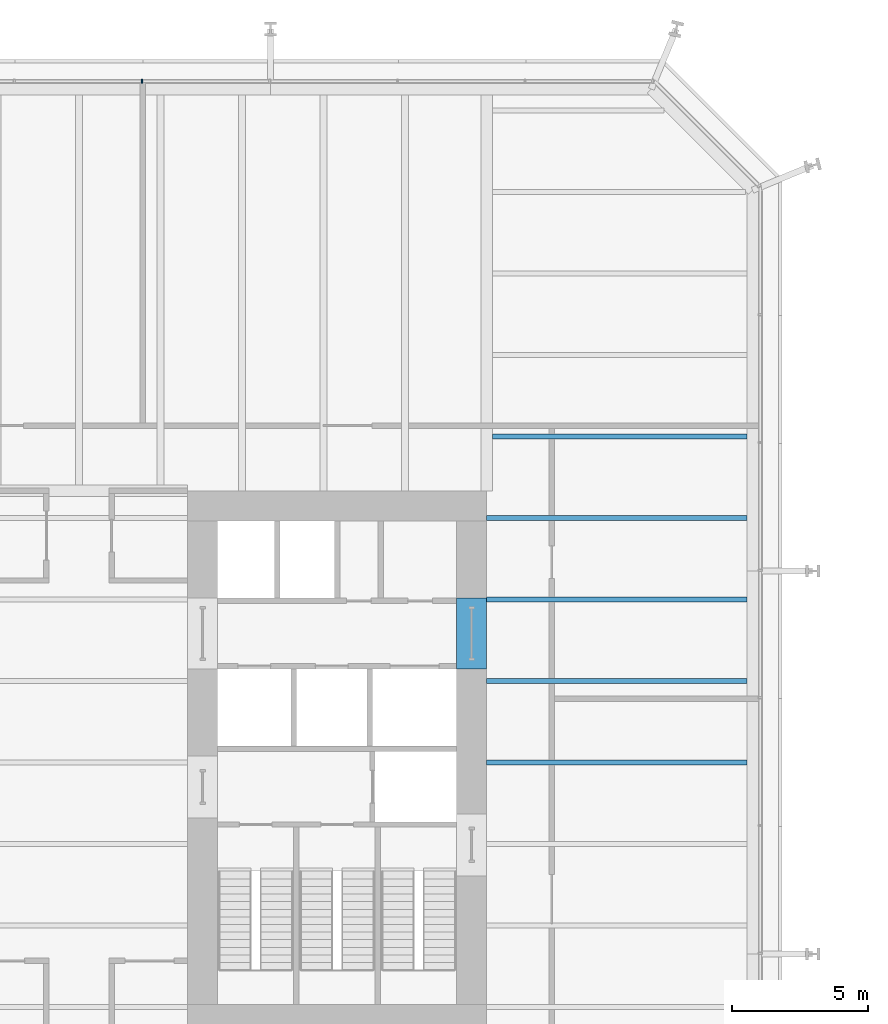
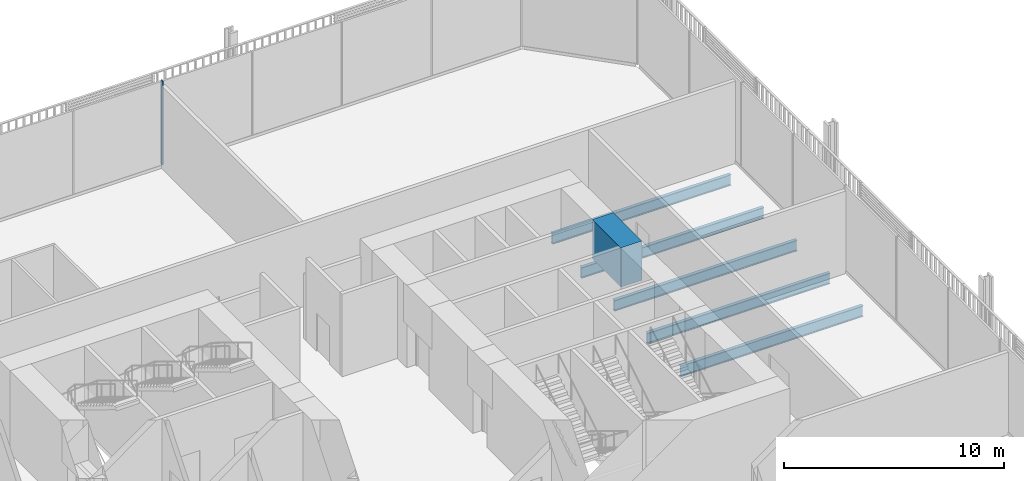
# One storey, part 11 of 21: 6 beams, 1 member, 1 element without a shape of its own.
"""IFC4 building model written with IfcOpenShell, lengths in metres."""

import ifcopenshell
import ifcopenshell.guid

model = None  # the IFC model being written
_history = None  # IfcOwnerHistory: only IFC2X3 demands one
_inside = {}  # id of a spatial element -> (the spatial element, [elements in it])
_under = {}  # id of a project, library or spatial element -> (it, [spatial elements below it])
_declared = {}  # id of a project -> (the project, [libraries it declares])
_typed = {}  # id of a type object -> (the type object, [elements of that type])
_made_of = {}  # id of a material, layer set ... -> (it, [elements and type objects made of it])


def new_model(schema):
    """Start an empty IFC model of exactly this schema.

    Asked for "IFC4X3", IfcOpenShell would pick the latest addendum, in which some entities
    have other attributes; the version numbers below select the first issue.
    IFC2X3 requires an IfcOwnerHistory on every rooted entity: one is made here for all.
    """
    global model, _history
    if schema == "IFC4X3":
        model = ifcopenshell.file(schema_version=(4, 3, 0, 0))
    else:
        model = ifcopenshell.file(schema=schema)
    _inside.clear()
    _under.clear()
    _declared.clear()
    _typed.clear()
    _made_of.clear()
    _history = None
    if model.schema == "IFC2X3":
        org = make("IfcOrganization", Name="unknown")
        user = make(
            "IfcPersonAndOrganization",
            ThePerson=make("IfcPerson", FamilyName="unknown"),
            TheOrganization=org,
        )
        app = make(
            "IfcApplication",
            ApplicationDeveloper=org,
            Version="unknown",
            ApplicationFullName="unknown",
            ApplicationIdentifier="unknown",
        )
        _history = make(
            "IfcOwnerHistory",
            OwningUser=user,
            OwningApplication=app,
            ChangeAction="ADDED",
            CreationDate=0,
        )
    return model


def make(cls, **values):
    """One entity of the class cls with the attributes given. An attribute that is None is left unset."""
    return model.create_entity(
        cls, **{name: value for name, value in values.items() if value is not None}
    )


def rooted(cls, **values):
    """An entity with a GlobalId (a new one), such as an element, a storey or a relation."""
    return make(cls, GlobalId=ifcopenshell.guid.new(), OwnerHistory=_history, **values)


def si_unit(unit_type, name, prefix=None):
    """IfcSIUnit, for example si_unit("LENGTHUNIT", "METRE", prefix="MILLI")."""
    return make("IfcSIUnit", UnitType=unit_type, Prefix=prefix, Name=name)


def assignment(units):
    """IfcUnitAssignment: the units of a project."""
    return None if units is None else make("IfcUnitAssignment", Units=units)


def point(xyz):
    """IfcCartesianPoint."""
    return None if xyz is None else make("IfcCartesianPoint", Coordinates=xyz)


def direction(xyz):
    """IfcDirection."""
    return None if xyz is None else make("IfcDirection", DirectionRatios=xyz)


def frame(location, z_axis=None, x_axis=None):
    """IfcAxis2Placement3D, a coordinate frame: its origin and axes. An axis left out is left unset."""
    return make(
        "IfcAxis2Placement3D",
        Location=point(location),
        Axis=direction(z_axis),
        RefDirection=direction(x_axis),
    )


def frame_2d(location, x_axis=None):
    """IfcAxis2Placement2D, a coordinate frame in the plane: its origin and x axis."""
    return make(
        "IfcAxis2Placement2D", Location=point(location), RefDirection=direction(x_axis)
    )


def origin():
    """The frame at (0, 0, 0) with its axes left unset."""
    return frame((0.0, 0.0, 0.0))


def origin_2d():
    """The frame at (0, 0) in the plane with its x axis left unset."""
    return frame_2d((0.0, 0.0))


def place(relative_to, where):
    """IfcLocalPlacement: puts the frame where relative to a parent placement (None: the world)."""
    return make(
        "IfcLocalPlacement", PlacementRelTo=relative_to, RelativePlacement=where
    )


def context(
    kind, dimensions, precision=None, world=None, true_north=None, identifier=None
):
    """IfcGeometricRepresentationContext, for example the 3D "Model" context."""
    return make(
        "IfcGeometricRepresentationContext",
        ContextIdentifier=identifier,
        ContextType=kind,
        CoordinateSpaceDimension=dimensions,
        Precision=precision,
        WorldCoordinateSystem=world,
        TrueNorth=true_north,
    )


def subcontext(parent, identifier, kind, view, scale=None):
    """IfcGeometricRepresentationSubContext, for example "Body" below "Model"."""
    return make(
        "IfcGeometricRepresentationSubContext",
        ContextIdentifier=identifier,
        ContextType=kind,
        ParentContext=parent,
        TargetScale=scale,
        TargetView=view,
    )


def project(units=None, contexts=None):
    """IfcProject with its units and contexts."""
    return rooted(
        "IfcProject",
        Name="project",
        RepresentationContexts=contexts,
        UnitsInContext=assignment(units),
    )


def spatial(cls, under=None, at=None, **own):
    """A site, building, storey or space (cls), placed at a placement, below another one or the project."""
    s = rooted(cls, ObjectPlacement=at, **own)
    if under is not None:
        _under.setdefault(under.id(), (under, []))[1].append(s)
    return s


def profile(cls, at=None, kind="AREA", **sizes):
    """A parametric profile (cls). Its sizes go by their IFC names, for example OverallWidth=200.0."""
    return make(cls, ProfileType=kind, Position=at, **sizes)


def rectangle(**sizes):
    """IfcRectangleProfileDef."""
    return profile("IfcRectangleProfileDef", **sizes)


def i_section(**sizes):
    """IfcIShapeProfileDef."""
    return profile("IfcIShapeProfileDef", **sizes)


def extrude(swept, where, along, depth):
    """IfcExtrudedAreaSolid: the profile swept, set in the frame where, extruded along a direction by depth."""
    return make(
        "IfcExtrudedAreaSolid",
        SweptArea=swept,
        Position=where,
        ExtrudedDirection=direction(along),
        Depth=depth,
    )


def shape(context_of_items, identifier, shape_type, items):
    """IfcShapeRepresentation: the items that make up one representation, for example the "Body"."""
    return make(
        "IfcShapeRepresentation",
        ContextOfItems=context_of_items,
        RepresentationIdentifier=identifier,
        RepresentationType=shape_type,
        Items=items,
    )


def material(Name=None, Category=None):
    """IfcMaterial."""
    return make("IfcMaterial", Name=Name, Category=Category)


def layer(
    of_material, thickness, ventilated=None, Name=None, Category=None, Priority=None
):
    """IfcMaterialLayer: one layer of a wall or slab, of a material (None: an air gap)."""
    return make(
        "IfcMaterialLayer",
        Material=of_material,
        LayerThickness=thickness,
        IsVentilated=ventilated,
        Name=Name,
        Category=Category,
        Priority=Priority,
    )


def layer_set(layers, Name=None):
    """IfcMaterialLayerSet."""
    return make("IfcMaterialLayerSet", MaterialLayers=layers, LayerSetName=Name)


def material_profile(
    of_material, cross_section, Name=None, Category=None, Priority=None
):
    """IfcMaterialProfile: a cross section and its material."""
    return make(
        "IfcMaterialProfile",
        Name=Name,
        Material=of_material,
        Profile=cross_section,
        Priority=Priority,
        Category=Category,
    )


def profile_set(profiles, Name=None, composite=None):
    """IfcMaterialProfileSet."""
    return make(
        "IfcMaterialProfileSet",
        Name=Name,
        MaterialProfiles=profiles,
        CompositeProfile=composite,
    )


def made_of(thing, what):
    """Note that an element or type object is made of a material, layer set ...; save() writes the relation."""
    if what is not None:
        _made_of.setdefault(what.id(), (what, []))[1].append(thing)
    return thing


def type_object(cls, material=None, **own):
    """A type object (cls), such as IfcWallType, which elements share."""
    return made_of(rooted(cls, **own), material)


def element(
    cls,
    number,
    at=None,
    inside=None,
    cuts=None,
    type_object=None,
    material=None,
    context=None,
    identifier="Body",
    shape_type=None,
    held_by="IfcProductDefinitionShape",
    body=None,
    shapes=None,
    **own,
):
    """One element of the class cls, such as IfcWall. Its Tag is "e" and its number.

    at: its placement. inside: the storey or other place that contains it. cuts: it is an
    opening in that element (IfcRelVoidsElement). A single representation is given by context,
    identifier, shape_type and body (its items); several are given by shapes. held_by: the class
    of the entity that holds the representations. save() writes the other relations.
    """
    e = rooted(cls, Tag="e%d" % number, ObjectPlacement=at, **own)
    if body is not None:
        shapes = [shape(context, identifier, shape_type, body)]
    if shapes is not None:
        e.Representation = make(held_by, Representations=shapes)
    if inside is not None:
        _inside.setdefault(inside.id(), (inside, []))[1].append(e)
    if cuts is not None:
        rooted(
            "IfcRelVoidsElement", RelatingBuildingElement=cuts, RelatedOpeningElement=e
        )
    if type_object is not None:
        _typed.setdefault(type_object.id(), (type_object, []))[1].append(e)
    return made_of(e, material)


def aggregate(whole, parts):
    """IfcRelAggregates: a whole, such as a stair, and the parts it consists of."""
    return rooted("IfcRelAggregates", RelatingObject=whole, RelatedObjects=parts)


def save(model, path):
    """Write the relations noted so far, then the file.

    IfcRelAggregates (storeys below a building ...), IfcRelContainedInSpatialStructure (elements
    in a storey), IfcRelDefinesByType, IfcRelAssociatesMaterial and IfcRelDeclares: one each for
    every whole, place, type object, material and project.
    """
    for whole, parts in _under.values():
        aggregate(whole, parts)
    for where, things in _inside.values():
        rooted(
            "IfcRelContainedInSpatialStructure",
            RelatedElements=things,
            RelatingStructure=where,
        )
    for kind, things in _typed.values():
        rooted("IfcRelDefinesByType", RelatedObjects=things, RelatingType=kind)
    for what, things in _made_of.values():
        rooted("IfcRelAssociatesMaterial", RelatedObjects=things, RelatingMaterial=what)
    for by, libraries in _declared.values():
        rooted("IfcRelDeclares", RelatingContext=by, RelatedDefinitions=libraries)
    model.write(path)


model = new_model("IFC4")

# Units and contexts
model_context = context("Model", 3, precision=1e-05, world=origin(), true_north=direction((0.0, 1.0)))
body_context = subcontext(model_context, "Body", "Model", "MODEL_VIEW")
ifc_project = project(units=[si_unit("LENGTHUNIT", "METRE"), si_unit("AREAUNIT", "SQUARE_METRE"), si_unit("VOLUMEUNIT", "CUBIC_METRE"), si_unit("PLANEANGLEUNIT", "RADIAN"), si_unit("MASSUNIT", "GRAM", prefix="KILO")], contexts=[model_context])

# Site, building, storey
site_placement = place(None, origin())
site = spatial("IfcSite", under=ifc_project, at=site_placement, CompositionType="ELEMENT")
building_placement = place(site_placement, origin())
building = spatial("IfcBuilding", under=site, at=building_placement, Name="Millrace Tower", CompositionType="ELEMENT")
storey_placement = place(building_placement, frame((0.0, 0.0, 16.10009765625)))
storey = spatial("IfcBuildingStorey", under=building, at=storey_placement, Name="L04", CompositionType="ELEMENT", Elevation=16.10009765625)

# Curtain wall, member
ifc_material_1 = material(Name="Aluminium and glass", Category="aluminium")
ifc_layer = layer(ifc_material_1, 0.14990234375)
ifc_layer_set = layer_set([ifc_layer], Name="Aluminium and glass")
curtain_wall_type = type_object("IfcCurtainWallType", Name="CW-2 data hall insulated curtain wall", PredefinedType="NOTDEFINED", material=ifc_layer_set)
curtain_wall_placement = place(storey_placement, origin())
curtain_wall = element("IfcCurtainWall", 1, at=curtain_wall_placement, inside=storey, type_object=curtain_wall_type, Name="Curtain wall A-F06 L04", PredefinedType="NOTDEFINED")
ifc_material_2 = material(Name="Aluminium", Category="aluminium")
ifc_material_profile_1 = material_profile(ifc_material_2, rectangle(XDim=0.06494140625, YDim=0.14990234375, at=origin_2d()))
ifc_profile_set_1 = profile_set([ifc_material_profile_1], Name="Aluminium")
member_type = type_object("IfcMemberType", Name="CW-2 data hall insulated curtain wall mullion", PredefinedType="MULLION", material=ifc_profile_set_1)
member_placement = place(storey_placement, frame((2.3173828125, 25.074951171875, 0.159912109375), z_axis=(0.0, 0.0, 1.0), x_axis=(-1.0, 0.0, 0.0)))
member = element("IfcMember", 2, at=member_placement, type_object=member_type, Name="CW2 mullion A-F06.5", PredefinedType="MULLION", context=body_context, shape_type="SweptSolid", body=[
    extrude(rectangle(XDim=0.06494140625, YDim=0.14990234375, at=origin_2d()), origin(), (0.0, 0.0, 1.0), 4.639892578125),
])
aggregate(curtain_wall, [member])

# Beams
ifc_material_3 = material(Name="Concrete C80", Category="concrete")
ifc_material_profile_2 = material_profile(ifc_material_3, rectangle(XDim=1.10009765625, YDim=2.175048828125, at=origin_2d()))
ifc_profile_set_2 = profile_set([ifc_material_profile_2], Name="Concrete C80")
beam_type_1 = type_object("IfcBeamType", Name="Coupling beam 1100 x 2175 Concrete C80, 2000 opening", PredefinedType="BEAM", material=ifc_profile_set_2)
beam_1_placement = place(storey_placement, frame((14.449951171875, 6.050048828125, 3.4873046875), z_axis=(0.0, -1.0, 0.0), x_axis=(1.0, 0.0, 0.0)))
element("IfcBeam", 3, at=beam_1_placement, inside=storey, type_object=beam_type_1, Name="Coupling beam E L04", PredefinedType="BEAM", context=body_context, shape_type="SweptSolid", body=[
    extrude(rectangle(XDim=1.10009765625, YDim=2.175048828125, at=origin_2d()), origin(), (0.0, 0.0, 1.0), 2.60009765625),
])
ifc_material_4 = material(Name="Steel ASTM A992 Grade 50", Category="steel")
ifc_material_profile_3 = material_profile(ifc_material_4, i_section(OverallWidth=0.1787109375, OverallDepth=0.60205078125, WebThickness=0.010986328125, FlangeThickness=0.014892578125, FilletRadius=0.0126953125, at=origin_2d()))
ifc_profile_set_3 = profile_set([ifc_material_profile_3], Name="Steel ASTM A992 Grade 50")
beam_type_2 = type_object("IfcBeamType", Name="Floor beam W24x62", PredefinedType="JOIST", material=ifc_profile_set_3)
for number, where, z_axis, x_axis, name in (
    (4, (15.0, 0.0, -0.526123046875), (1.0, 0.0, 0.0), (0.0, 1.0, 0.0), "BM-A-L04-S1-S022"),
    (5, (15.0, 3.0, -0.526123046875), (1.0, 0.0, 0.0), (0.0, 1.0, 0.0), "BM-A-L04-S1-S025"),
    (6, (15.0, 6.0, -0.526123046875), (1.0, 0.0, 0.0), (0.0, 1.0, 0.0), "BM-A-L04-S1-S028"),
    (7, (15.0, 9.0, -0.526123046875), (1.0, 0.0, 0.0), (0.0, 1.0, 0.0), "BM-A-L04-S1-S031"),
):
    element("IfcBeam", number, at=place(storey_placement, frame(where, z_axis=z_axis, x_axis=x_axis)), inside=storey, type_object=beam_type_2, Name=name, PredefinedType="JOIST", context=body_context, shape_type="SweptSolid", body=[
        extrude(i_section(OverallWidth=0.1787109375, OverallDepth=0.60205078125, WebThickness=0.010986328125, FlangeThickness=0.014892578125, FilletRadius=0.0126953125, at=origin_2d()), origin(), (0.0, 0.0, 1.0), 9.578369140625),
    ])
beam_2_placement = place(storey_placement, frame((15.212158203125, 12.0, -0.526123046875), z_axis=(1.0, 0.0, 0.0), x_axis=(0.0, 1.0, 0.0)))
element("IfcBeam", 8, at=beam_2_placement, inside=storey, type_object=beam_type_2, Name="BM-A-L04-S1-S033", PredefinedType="JOIST", context=body_context, shape_type="SweptSolid", body=[
    extrude(i_section(OverallWidth=0.1787109375, OverallDepth=0.60205078125, WebThickness=0.010986328125, FlangeThickness=0.014892578125, FilletRadius=0.0126953125, at=origin_2d()), origin(), (0.0, 0.0, 1.0), 9.3662109375),
])

save(model, "model.ifc")
